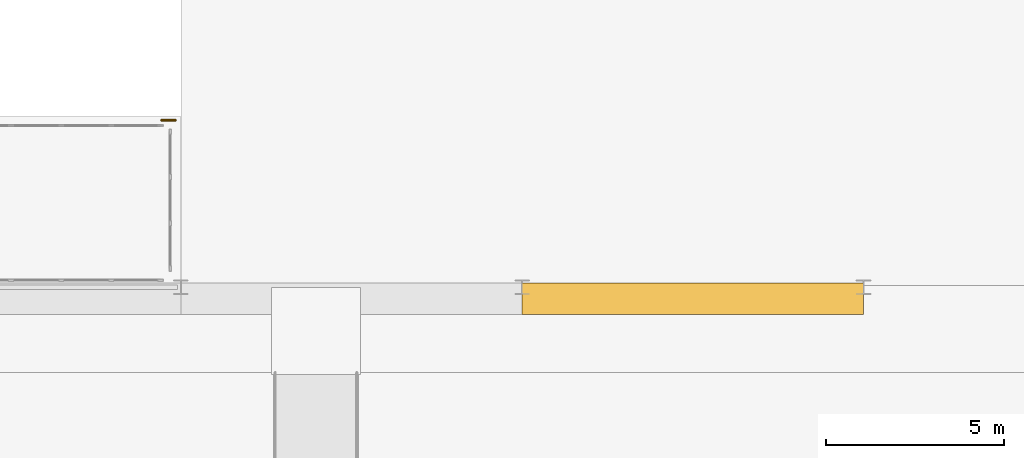
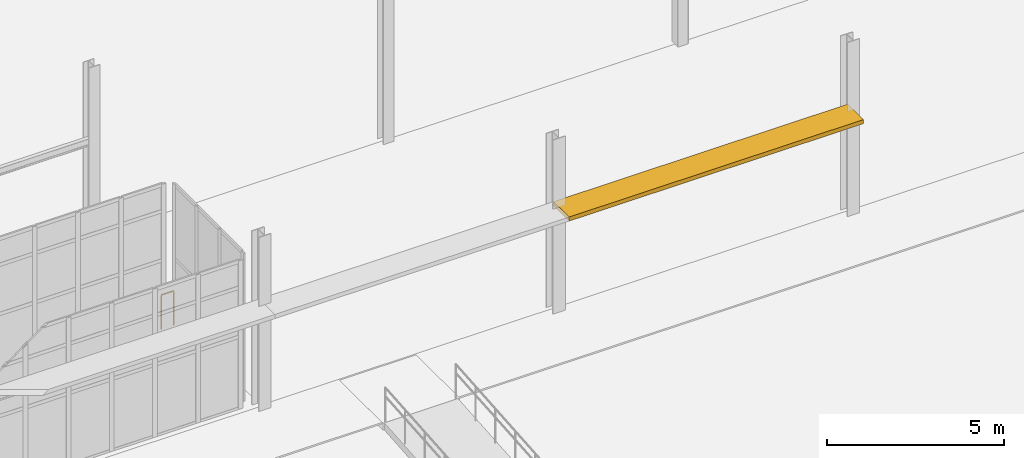
# One storey, part 115 of 139: 1 railing, 1 shading device.
"""IFC4 building model written with IfcOpenShell, lengths in metres."""

from ifc_helpers import new_model, si_unit, direction, frame, origin, origin_2d, place, context, subcontext, project, spatial, rectangle, circle, extrude, material, type_object, element, save


model = new_model("IFC4")

# Units and contexts
model_context = context("Model", 3, precision=1e-05, world=origin(), true_north=direction((0.0, 1.0)))
body_context = subcontext(model_context, "Body", "Model", "MODEL_VIEW")
ifc_project = project(units=[si_unit("LENGTHUNIT", "METRE"), si_unit("AREAUNIT", "SQUARE_METRE"), si_unit("VOLUMEUNIT", "CUBIC_METRE"), si_unit("PLANEANGLEUNIT", "RADIAN"), si_unit("MASSUNIT", "GRAM", prefix="KILO")], contexts=[model_context])

# Site, building, storey
site_placement = place(None, origin())
site = spatial("IfcSite", under=ifc_project, at=site_placement, CompositionType="ELEMENT")
building_placement = place(site_placement, origin())
building = spatial("IfcBuilding", under=site, at=building_placement, Name="Yeouljin Market Hall", CompositionType="ELEMENT")
storey_placement = place(building_placement, origin())
storey = spatial("IfcBuildingStorey", under=building, at=storey_placement, Name="L00", CompositionType="ELEMENT", Elevation=0.0)

# Railing
ifc_material_1 = material(Name="Wrought Iron and Bronze Gallery Balustrade")
railing_type = type_object("IfcRailingType", Name="Railing_AtriumBalustrade_1200", PredefinedType="BALUSTRADE", material=ifc_material_1)
railing_placement = place(storey_placement, frame((63.64990234375, 4.699951171875, 0.0)))
element("IfcRailing", 1, at=railing_placement, inside=storey, type_object=railing_type, Name="Gallery & deck edge balustrade L00-041", PredefinedType="BALUSTRADE", context=body_context, shape_type="SweptSolid", body=[
    extrude(circle(Radius=0.02392578125, at=origin_2d()), frame((0.0, 0.0, 1.17578125), z_axis=(1.0, 0.0, 0.0), x_axis=(0.0, 1.0, 0.0)), (0.0, 0.0, 1.0), 0.400146484375),
    extrude(circle(Radius=0.02099609375, at=origin_2d()), origin(), (0.0, 0.0, 1.0), 1.15185546875),
    extrude(circle(Radius=0.02099609375, at=origin_2d()), frame((0.400146484375, 0.0, 0.0)), (0.0, 0.0, 1.0), 1.15185546875),
])

# Shading device
ifc_material_2 = material(Name="Bronze Brise-Soleil Louvre")
shading_device_type = type_object("IfcShadingDeviceType", Name="SolarFin_ClinkerBronze_880", PredefinedType="JALOUSIE", material=ifc_material_2)
shading_device_placement = place(storey_placement, frame((78.60009765625, -0.320068359375, 3.47998046875), z_axis=(0.0, 0.0, 1.0), x_axis=(1.0, 0.0, 0.0)))
element("IfcShadingDevice", 2, at=shading_device_placement, inside=storey, type_object=shading_device_type, Name="Boulevard entrance brise-soleil louvre 05", PredefinedType="JALOUSIE", context=body_context, shape_type="SweptSolid", body=[
    extrude(rectangle(XDim=9.60009765625, YDim=0.8798828125, at=origin_2d()), origin(), (0.0, 0.0, 1.0), 0.139892578125),
])

save(model, "model.ifc")
